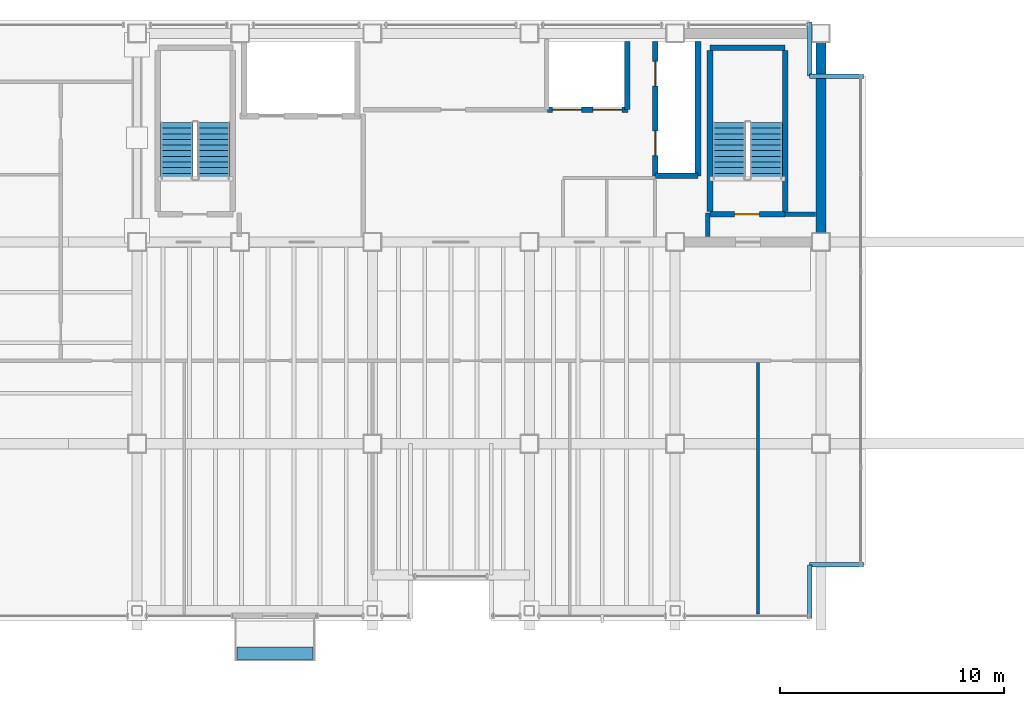
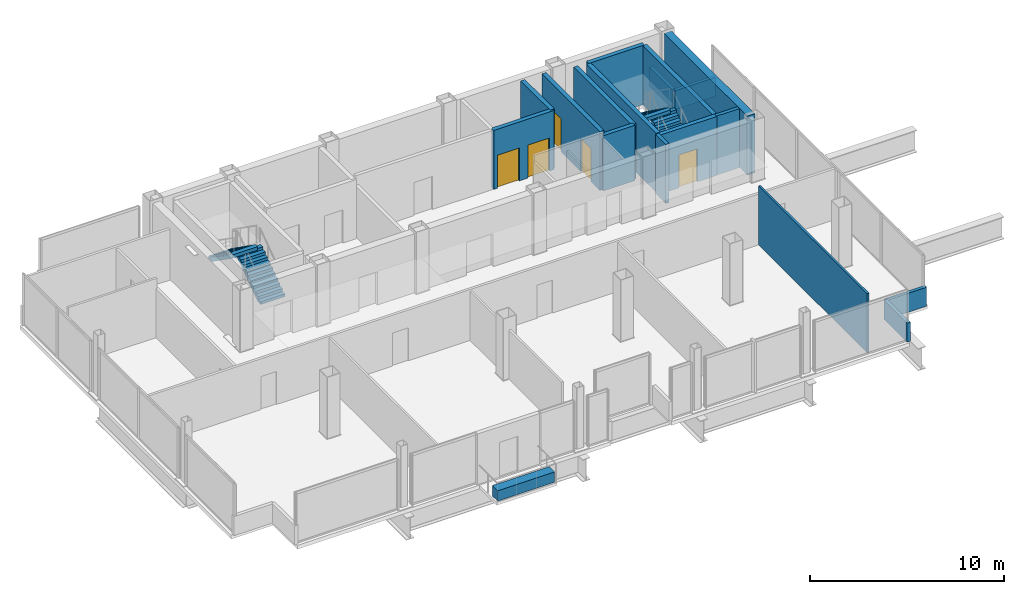
# One storey, part 21 of 22: 17 walls, 5 doors, 4 stair flights, 1 discrete accessory, 5 openings, 2 elements without a shape of their own.
"""IFC4 building model written with IfcOpenShell, lengths in metres."""

from ifc_helpers import new_model, si_unit, direction, frame, frame_2d, origin, origin_2d, place, context, subcontext, project, spatial, polyline, rectangle, outline, extrude, material, layer, layer_set, type_object, element, fill, aggregate, save


model = new_model("IFC4")

# Units and contexts
model_context = context("Model", 3, precision=1e-05, world=origin(), true_north=direction((0.0, 1.0)))
body_context = subcontext(model_context, "Body", "Model", "MODEL_VIEW")
ifc_project = project(units=[si_unit("LENGTHUNIT", "METRE"), si_unit("AREAUNIT", "SQUARE_METRE"), si_unit("VOLUMEUNIT", "CUBIC_METRE"), si_unit("PLANEANGLEUNIT", "RADIAN"), si_unit("MASSUNIT", "GRAM", prefix="KILO")], contexts=[model_context])

# Site, building, storey
site_placement = place(None, origin())
site = spatial("IfcSite", under=ifc_project, at=site_placement, CompositionType="ELEMENT")
building_placement = place(site_placement, origin())
building = spatial("IfcBuilding", under=site, at=building_placement, Name="Noeulbin Bourse Tower", CompositionType="ELEMENT")
storey_placement = place(building_placement, frame((0.0, 0.0, 230.60009765625)))
storey = spatial("IfcBuildingStorey", under=building, at=storey_placement, Name="L57", CompositionType="ELEMENT", Elevation=230.60009765625)

# Walls
ifc_material_1 = material(Name="Concrete C50/60", Category="concrete")
ifc_layer_1 = layer(ifc_material_1, 0.449951171875)
ifc_layer_set_1 = layer_set([ifc_layer_1], Name="Concrete C50/60")
wall_type_1 = type_object("IfcWallType", Name="WAL-CORE-450", PredefinedType="SHEAR", material=ifc_layer_set_1)
wall_1_placement = place(storey_placement, frame((44.0, 29.35009765625, 0.0), z_axis=(0.0, 0.0, 1.0), x_axis=(0.0, 1.0, 0.0)))
element("IfcWall", 1, at=wall_1_placement, inside=storey, type_object=wall_type_1, Name="Rear Core East Shear Wall L57", PredefinedType="SHEAR", context=body_context, shape_type="SweptSolid", body=[
    extrude(rectangle(XDim=8.599853515625, YDim=0.449951171875, at=frame_2d((4.2998046875, 0.0))), origin(), (0.0, 0.0, 1.0), 3.719970703125),
])
ifc_material_2 = material(Name="Concrete C40/50", Category="concrete")
ifc_layer_2 = layer(ifc_material_2, 0.199951171875)
ifc_layer_set_2 = layer_set([ifc_layer_2], Name="Concrete C40/50")
wall_type_2 = type_object("IfcWallType", Name="WAL-FIRE-200", PredefinedType="STANDARD", material=ifc_layer_set_2)
wall_2_placement = place(storey_placement, frame((42.39990234375, 30.239990234375, 0.0), z_axis=(0.0, 0.0, 1.0), x_axis=(1.0, 0.0, 0.0)))
element("IfcWall", 2, at=wall_2_placement, inside=storey, type_object=wall_type_2, Name="Interior Partition Wall L57-01", PredefinedType="STANDARD", context=body_context, shape_type="SweptSolid", body=[
    extrude(rectangle(XDim=1.364990234375, YDim=0.199951171875, at=frame_2d((0.6826171875, 0.0))), origin(), (0.0, 0.0, 1.0), 3.719970703125),
])
wall_3_placement = place(storey_placement, frame((38.949951171875, 29.235107421875, 0.0), z_axis=(0.0, 0.0, 1.0), x_axis=(0.0, 1.0, 0.0)))
element("IfcWall", 3, at=wall_3_placement, inside=storey, type_object=wall_type_2, Name="Interior Partition Wall L57-08", PredefinedType="STANDARD", context=body_context, shape_type="SweptSolid", body=[
    extrude(rectangle(XDim=1.06494140625, YDim=0.199951171875, at=frame_2d((0.532470703125, 0.0))), origin(), (0.0, 0.0, 1.0), 3.719970703125),
])
ifc_layer_3 = layer(ifc_material_2, 0.199951171875)
ifc_layer_set_3 = layer_set([ifc_layer_3], Name="Concrete C40/50")
wall_type_3 = type_object("IfcWallType", Name="WAL-PAR-200", PredefinedType="PARAPET", material=ifc_layer_set_3)
wall_4_placement = place(storey_placement, frame((43.5, 12.199951171875, 0.0), z_axis=(0.0, 0.0, 1.0), x_axis=(0.0, 1.0, 0.0)))
element("IfcWall", 4, at=wall_4_placement, inside=storey, type_object=wall_type_3, Name="Corner Notch Parapet L57-SE1", PredefinedType="PARAPET", context=body_context, shape_type="SweptSolid", body=[
    extrude(rectangle(XDim=2.400146484375, YDim=0.199951171875, at=frame_2d((1.2001953125, 0.0))), origin(), (0.0, 0.0, 1.0), 1.199951171875),
])
wall_5_placement = place(storey_placement, frame((43.5, 14.60009765625, 0.0), z_axis=(0.0, 0.0, 1.0), x_axis=(1.0, 0.0, 0.0)))
element("IfcWall", 5, at=wall_5_placement, inside=storey, type_object=wall_type_3, Name="Corner Notch Parapet L57-SE2", PredefinedType="PARAPET", context=body_context, shape_type="SweptSolid", body=[
    extrude(rectangle(XDim=2.39990234375, YDim=0.199951171875, at=frame_2d((1.199951171875, 0.0))), origin(), (0.0, 0.0, 1.0), 1.199951171875),
])
wall_6_placement = place(storey_placement, frame((43.5, 38.800048828125, 0.0), z_axis=(0.0, 0.0, 1.0), x_axis=(0.0, -1.0, 0.0)))
element("IfcWall", 6, at=wall_6_placement, inside=storey, type_object=wall_type_3, Name="Corner Notch Parapet L57-NE1", PredefinedType="PARAPET", context=body_context, shape_type="SweptSolid", body=[
    extrude(rectangle(XDim=2.400146484375, YDim=0.199951171875, at=frame_2d((1.2001953125, 0.0))), origin(), (0.0, 0.0, 1.0), 1.199951171875),
])
wall_7_placement = place(storey_placement, frame((43.5, 36.39990234375, 0.0), z_axis=(0.0, 0.0, 1.0), x_axis=(1.0, 0.0, 0.0)))
element("IfcWall", 7, at=wall_7_placement, inside=storey, type_object=wall_type_3, Name="Corner Notch Parapet L57-NE2", PredefinedType="PARAPET", context=body_context, shape_type="SweptSolid", body=[
    extrude(rectangle(XDim=2.39990234375, YDim=0.199951171875, at=frame_2d((1.199951171875, 0.0))), origin(), (0.0, 0.0, 1.0), 1.199951171875),
])
ifc_material_3 = material(Name="Steel Stud Gypsum Partition", Category="steel")
ifc_layer_4 = layer(ifc_material_3, 0.1201171875)
ifc_layer_set_4 = layer_set([ifc_layer_4], Name="Steel Stud Gypsum Partition")
wall_type_4 = type_object("IfcWallType", Name="WAL-PRT-120", PredefinedType="PARTITIONING", material=ifc_layer_set_4)
wall_8_placement = place(storey_placement, frame((41.199951171875, 12.409912109375, 0.0), z_axis=(0.0, 0.0, 1.0), x_axis=(0.0, 1.0, 0.0)))
element("IfcWall", 8, at=wall_8_placement, inside=storey, type_object=wall_type_4, Name="Interior Partition Wall L57-17", PredefinedType="PARTITIONING", context=body_context, shape_type="SweptSolid", body=[
    extrude(rectangle(XDim=11.205078125, YDim=0.1201171875, at=frame_2d((5.6025390625, 0.0))), origin(), (0.0, 0.0, 1.0), 3.719970703125),
])

# Wall, opening, door
ifc_layer_5 = layer(ifc_material_2, 0.25)
ifc_layer_set_5 = layer_set([ifc_layer_5], Name="Concrete C40/50")
wall_type_5 = type_object("IfcWallType", Name="WAL-SHFT-250", PredefinedType="STANDARD", material=ifc_layer_set_5)
wall_9_placement = place(storey_placement, frame((39.06005859375, 30.235107421875, 0.0), z_axis=(0.0, 0.0, 1.0), x_axis=(1.0, 0.0, 0.0)))
wall_9 = element("IfcWall", 9, at=wall_9_placement, inside=storey, type_object=wall_type_5, Name="Stair ST-2 South Shaft Wall L57", PredefinedType="STANDARD", context=body_context, shape_type="SweptSolid", body=[
    extrude(rectangle(XDim=3.33984375, YDim=0.25, at=frame_2d((1.669921875, 0.0))), origin(), (0.0, 0.0, 1.0), 3.719970703125),
])
opening_1_placement = place(wall_9_placement, frame((1.10009765625, 0.0, 0.0)))
opening_1 = element("IfcOpeningElement", 10, at=opening_1_placement, cuts=wall_9, Name="Opening FD-11", PredefinedType="OPENING", context=body_context, shape_type="SweptSolid", body=[
    extrude(rectangle(XDim=1.10009765625, YDim=2.080078125, at=frame_2d((0.550048828125, 1.0400390625))), frame((0.0, 0.135009765625, 0.0), z_axis=(0.0, -1.0, 0.0), x_axis=(1.0, 0.0, 0.0)), (0.0, 0.0, 1.0), 0.27001953125),
])
ifc_material_4 = material(Name="Fire-Rated Insulated Steel", Category="steel")
door_type_1 = type_object("IfcDoorType", Name="DR-FD60-1100", OperationType="SINGLE_SWING_LEFT", PredefinedType="DOOR", material=ifc_material_4)
door_1_placement = place(opening_1_placement, origin())
door_1 = element("IfcDoor", 11, at=door_1_placement, inside=storey, type_object=door_type_1, Name="Protected Stair Entry Door ST2-L57", OperationType="SINGLE_SWING_LEFT", OverallHeight=2.080078125, OverallWidth=1.10009765625, PredefinedType="DOOR", context=body_context, shape_type="SweptSolid", body=[
    extrude(rectangle(XDim=1.10009765625, YDim=2.080078125, at=frame_2d((0.550048828125, 1.0400390625))), frame((0.0, 0.02490234375, 0.0), z_axis=(0.0, -1.0, 0.0), x_axis=(1.0, 0.0, 0.0)), (0.0, 0.0, 1.0), 0.050048828125),
])
fill(opening_1, door_1)

# Walls
wall_10_placement = place(storey_placement, frame((39.06005859375, 37.6689453125, 0.0), z_axis=(0.0, 0.0, 1.0), x_axis=(1.0, 0.0, 0.0)))
element("IfcWall", 12, at=wall_10_placement, inside=storey, type_object=wall_type_5, Name="Stair ST-2 North Shaft Wall L57", PredefinedType="STANDARD", context=body_context, shape_type="SweptSolid", body=[
    extrude(rectangle(XDim=3.33984375, YDim=0.25, at=frame_2d((1.669921875, 0.0))), origin(), (0.0, 0.0, 1.0), 3.719970703125),
])
for number, where, z_axis, x_axis, name in (
    (13, (39.054931640625, 30.360107421875, 0.0), (0.0, 0.0, 1.0), (0.0, 1.0, 0.0), "Stair ST-2 West Shaft Wall L57"),
    (14, (42.405029296875, 30.360107421875, 0.0), (0.0, 0.0, 1.0), (0.0, 1.0, 0.0), "Stair ST-2 East Shaft Wall L57"),
):
    element("IfcWall", number, at=place(storey_placement, frame(where, z_axis=z_axis, x_axis=x_axis)), inside=storey, type_object=wall_type_5, Name=name, PredefinedType="STANDARD", context=body_context, shape_type="SweptSolid", body=[
        extrude(rectangle(XDim=7.183837890625, YDim=0.25, at=frame_2d((3.591796875, 0.0))), origin(), (0.0, 0.0, 1.0), 3.719970703125),
    ])

# Wall, openings, doors
wall_11_placement = place(storey_placement, frame((36.6201171875, 31.949951171875, 0.0), z_axis=(0.0, 0.0, 1.0), x_axis=(0.0, 1.0, 0.0)))
wall_11 = element("IfcWall", 15, at=wall_11_placement, inside=storey, type_object=wall_type_5, Name="Service Lift Shaft Wall L57", PredefinedType="STANDARD", context=body_context, shape_type="SweptSolid", body=[
    extrude(rectangle(XDim=6.0, YDim=0.25, at=frame_2d((3.0, 0.0))), origin(), (0.0, 0.0, 1.0), 3.719970703125),
])
opening_2_placement = place(wall_11_placement, frame((0.89990234375, 0.0, 0.0)))
opening_2 = element("IfcOpeningElement", 16, at=opening_2_placement, cuts=wall_11, Name="Opening LD-11", PredefinedType="OPENING", context=body_context, shape_type="SweptSolid", body=[
    extrude(rectangle(XDim=1.10009765625, YDim=2.080078125, at=frame_2d((0.550048828125, 1.0400390625))), frame((0.0, 0.135009765625, 0.0), z_axis=(0.0, -1.0, 0.0), x_axis=(1.0, 0.0, 0.0)), (0.0, 0.0, 1.0), 0.27001953125),
])
opening_3_placement = place(wall_11_placement, frame((4.0, 0.0, 0.0)))
opening_3 = element("IfcOpeningElement", 17, at=opening_3_placement, cuts=wall_11, Name="Opening LD-11", PredefinedType="OPENING", context=body_context, shape_type="SweptSolid", body=[
    extrude(rectangle(XDim=1.10009765625, YDim=2.080078125, at=frame_2d((0.550048828125, 1.0400390625))), frame((0.0, 0.135009765625, 0.0), z_axis=(0.0, -1.0, 0.0), x_axis=(1.0, 0.0, 0.0)), (0.0, 0.0, 1.0), 0.27001953125),
])
ifc_material_5 = material(Name="Brushed Stainless Steel 316", Category="steel")
door_type_2 = type_object("IfcDoorType", Name="DR-LIFT-1100", OperationType="SLIDING_TO_LEFT", PredefinedType="DOOR", material=ifc_material_5)
door_2_placement = place(opening_2_placement, origin())
door_2 = element("IfcDoor", 18, at=door_2_placement, inside=storey, type_object=door_type_2, Name="Lift Landing Door LD-EL-01-L57", OperationType="SLIDING_TO_LEFT", OverallHeight=2.080078125, OverallWidth=1.10009765625, PredefinedType="DOOR", context=body_context, shape_type="SweptSolid", body=[
    extrude(rectangle(XDim=1.10009765625, YDim=2.080078125, at=frame_2d((0.550048828125, 1.0400390625))), frame((0.0, 0.02490234375, 0.0), z_axis=(0.0, -1.0, 0.0), x_axis=(1.0, 0.0, 0.0)), (0.0, 0.0, 1.0), 0.050048828125),
])
fill(opening_2, door_2)
door_3_placement = place(opening_3_placement, origin())
door_3 = element("IfcDoor", 19, at=door_3_placement, inside=storey, type_object=door_type_2, Name="Lift Landing Door LD-SV-01-L57", OperationType="SLIDING_TO_LEFT", OverallHeight=2.080078125, OverallWidth=1.10009765625, PredefinedType="DOOR", context=body_context, shape_type="SweptSolid", body=[
    extrude(rectangle(XDim=1.10009765625, YDim=2.080078125, at=frame_2d((0.550048828125, 1.0400390625))), frame((0.0, 0.02490234375, 0.0), z_axis=(0.0, -1.0, 0.0), x_axis=(1.0, 0.0, 0.0)), (0.0, 0.0, 1.0), 0.050048828125),
])
fill(opening_3, door_3)

# Walls
wall_12_placement = place(storey_placement, frame((38.52001953125, 31.949951171875, 0.0), z_axis=(0.0, 0.0, 1.0), x_axis=(0.0, 1.0, 0.0)))
element("IfcWall", 20, at=wall_12_placement, inside=storey, type_object=wall_type_5, Name="Service Lift East Shaft Wall L57", PredefinedType="STANDARD", context=body_context, shape_type="SweptSolid", body=[
    extrude(rectangle(XDim=6.0, YDim=0.25, at=frame_2d((3.0, 0.0))), origin(), (0.0, 0.0, 1.0), 3.47998046875),
])
wall_13_placement = place(storey_placement, frame((36.6201171875, 31.949951171875, 0.0), z_axis=(0.0, 0.0, 1.0), x_axis=(1.0, 0.0, 0.0)))
element("IfcWall", 21, at=wall_13_placement, inside=storey, type_object=wall_type_5, Name="Service Lift South Shaft Wall L57", PredefinedType="STANDARD", context=body_context, shape_type="SweptSolid", body=[
    extrude(rectangle(XDim=1.89990234375, YDim=0.25, at=frame_2d((0.949951171875, 0.0))), origin(), (0.0, 0.0, 1.0), 3.47998046875),
])
wall_14_placement = place(storey_placement, frame((35.360107421875, 34.89990234375, 0.0), z_axis=(0.0, 0.0, 1.0), x_axis=(0.0, 1.0, 0.0)))
element("IfcWall", 22, at=wall_14_placement, inside=storey, type_object=wall_type_5, Name="High-Rise Lift East Shaft Wall L57", PredefinedType="STANDARD", context=body_context, shape_type="SweptSolid", body=[
    extrude(rectangle(XDim=3.050048828125, YDim=0.25, at=frame_2d((1.52490234375, 0.0))), origin(), (0.0, 0.0, 1.0), 3.719970703125),
])

# Wall, openings, doors
wall_15_placement = place(storey_placement, frame((31.800048828125, 34.89990234375, 0.0), z_axis=(0.0, 0.0, 1.0), x_axis=(1.0, 0.0, 0.0)))
wall_15 = element("IfcWall", 23, at=wall_15_placement, inside=storey, type_object=wall_type_5, Name="High-Rise Lift Bank Front L57", PredefinedType="STANDARD", context=body_context, shape_type="SweptSolid", body=[
    extrude(rectangle(XDim=3.599853515625, YDim=0.25, at=frame_2d((1.7998046875, 0.0))), origin(), (0.0, 0.0, 1.0), 3.719970703125),
])
opening_4_placement = place(wall_15_placement, frame((0.22998046875, 0.0, 0.0)))
opening_4 = element("IfcOpeningElement", 24, at=opening_4_placement, cuts=wall_15, Name="Opening LD-13", PredefinedType="OPENING", context=body_context, shape_type="SweptSolid", body=[
    extrude(rectangle(XDim=1.300048828125, YDim=2.080078125, at=frame_2d((0.64990234375, 1.0400390625))), frame((0.0, 0.135009765625, 0.0), z_axis=(0.0, -1.0, 0.0), x_axis=(1.0, 0.0, 0.0)), (0.0, 0.0, 1.0), 0.27001953125),
])
opening_5_placement = place(wall_15_placement, frame((2.030029296875, 0.0, 0.0)))
opening_5 = element("IfcOpeningElement", 25, at=opening_5_placement, cuts=wall_15, Name="Opening LD-13", PredefinedType="OPENING", context=body_context, shape_type="SweptSolid", body=[
    extrude(rectangle(XDim=1.300048828125, YDim=2.080078125, at=frame_2d((0.64990234375, 1.0400390625))), frame((0.0, 0.135009765625, 0.0), z_axis=(0.0, -1.0, 0.0), x_axis=(1.0, 0.0, 0.0)), (0.0, 0.0, 1.0), 0.27001953125),
])
door_type_3 = type_object("IfcDoorType", Name="DR-LIFT-1300", OperationType="DOUBLE_DOOR_SLIDING", PredefinedType="DOOR", material=ifc_material_5)
door_4_placement = place(opening_4_placement, origin())
door_4 = element("IfcDoor", 26, at=door_4_placement, inside=storey, type_object=door_type_3, Name="Lift Landing Door LD-PL-H1-L57", OperationType="DOUBLE_DOOR_SLIDING", OverallHeight=2.080078125, OverallWidth=1.300048828125, PredefinedType="DOOR", context=body_context, shape_type="SweptSolid", body=[
    extrude(rectangle(XDim=1.300048828125, YDim=2.080078125, at=frame_2d((0.64990234375, 1.0400390625))), frame((0.0, 0.02490234375, 0.0), z_axis=(0.0, -1.0, 0.0), x_axis=(1.0, 0.0, 0.0)), (0.0, 0.0, 1.0), 0.050048828125),
])
fill(opening_4, door_4)
door_5_placement = place(opening_5_placement, origin())
door_5 = element("IfcDoor", 27, at=door_5_placement, inside=storey, type_object=door_type_3, Name="Lift Landing Door LD-PL-H2-L57", OperationType="DOUBLE_DOOR_SLIDING", OverallHeight=2.080078125, OverallWidth=1.300048828125, PredefinedType="DOOR", context=body_context, shape_type="SweptSolid", body=[
    extrude(rectangle(XDim=1.300048828125, YDim=2.080078125, at=frame_2d((0.64990234375, 1.0400390625))), frame((0.0, 0.02490234375, 0.0), z_axis=(0.0, -1.0, 0.0), x_axis=(1.0, 0.0, 0.0)), (0.0, 0.0, 1.0), 0.050048828125),
])
fill(opening_5, door_5)

# Stair, stair flights
stair_type = type_object("IfcStairType", Name="STR-CORE-1560", PredefinedType="HALF_TURN_STAIR", material=ifc_material_2)
stair_1_placement = place(storey_placement, origin())
stair_1 = element("IfcStair", 28, at=stair_1_placement, inside=storey, type_object=stair_type, Name="L57 ST-1", PredefinedType="HALF_TURN_STAIR")
stair_flight_type = type_object("IfcStairFlightType", Name="SFL-CORE-1560", PredefinedType="STRAIGHT", material=ifc_material_2)
stair_flight_1_placement = place(storey_placement, frame((16.925048828125, 31.81005859375, 0.0), z_axis=(0.0, 0.0, 1.0), x_axis=(0.0, 1.0, 0.0)))
stair_flight_1 = element("IfcStairFlight", 29, at=stair_flight_1_placement, type_object=stair_flight_type, Name="ST-1 flight 1", NumberOfRisers=11, NumberOfTreads=10, PredefinedType="STRAIGHT", RiserHeight=0.177272727, TreadLength=0.252, context=body_context, shape_type="SweptSolid", body=[
    extrude(outline(polyline([(0.0, 0.0), (0.0, 0.17724609375), (0.251953125, 0.17724609375), (0.251953125, 0.3544921875), (0.50390625, 0.3544921875), (0.50390625, 0.53173828125), (0.756103515625, 0.53173828125), (0.756103515625, 0.708984375), (1.008056640625, 0.708984375), (1.008056640625, 0.886474609375), (1.260009765625, 0.886474609375), (1.260009765625, 1.063720703125), (1.511962890625, 1.063720703125), (1.511962890625, 1.240966796875), (1.763916015625, 1.240966796875), (1.763916015625, 1.418212890625), (2.01611328125, 1.418212890625), (2.01611328125, 1.595458984375), (2.26806640625, 1.595458984375), (2.26806640625, 1.772705078125), (2.52001953125, 1.772705078125), (2.52001953125, 1.949951171875), (2.52001953125, 1.552734375), (0.312744140625, 0.0), (0.0, 0.0)])), frame((0.0, 0.72509765625, 0.0), z_axis=(0.0, -1.0, 0.0), x_axis=(1.0, 0.0, 0.0)), (0.0, 0.0, 1.0), 1.449951171875),
])
stair_flight_2_placement = place(storey_placement, frame((15.27490234375, 34.330078125, 1.949951171875), z_axis=(0.0, 0.0, 1.0), x_axis=(0.0, -1.0, 0.0)))
stair_flight_2 = element("IfcStairFlight", 30, at=stair_flight_2_placement, type_object=stair_flight_type, Name="ST-1 flight 2", NumberOfRisers=11, NumberOfTreads=10, PredefinedType="STRAIGHT", RiserHeight=0.177272727, TreadLength=0.252, context=body_context, shape_type="SweptSolid", body=[
    extrude(outline(polyline([(0.0, 0.0), (0.0, 0.17724609375), (0.251953125, 0.17724609375), (0.251953125, 0.3544921875), (0.50390625, 0.3544921875), (0.50390625, 0.53173828125), (0.756103515625, 0.53173828125), (0.756103515625, 0.708984375), (1.008056640625, 0.708984375), (1.008056640625, 0.886474609375), (1.260009765625, 0.886474609375), (1.260009765625, 1.063720703125), (1.511962890625, 1.063720703125), (1.511962890625, 1.240966796875), (1.763916015625, 1.240966796875), (1.763916015625, 1.418212890625), (2.01611328125, 1.418212890625), (2.01611328125, 1.595458984375), (2.26806640625, 1.595458984375), (2.26806640625, 1.772705078125), (2.52001953125, 1.772705078125), (2.52001953125, 1.949951171875), (2.52001953125, 1.552734375), (0.312744140625, 0.0), (0.0, 0.0)])), frame((0.0, 0.72509765625, 0.0), z_axis=(0.0, -1.0, 0.0), x_axis=(1.0, 0.0, 0.0)), (0.0, 0.0, 1.0), 1.449951171875),
])
aggregate(stair_1, [stair_flight_1, stair_flight_2])

stair_2_placement = place(storey_placement, origin())
stair_2 = element("IfcStair", 31, at=stair_2_placement, inside=storey, type_object=stair_type, Name="L57 ST-2", PredefinedType="HALF_TURN_STAIR")
stair_flight_3_placement = place(storey_placement, frame((41.554931640625, 31.81005859375, 0.0), z_axis=(0.0, 0.0, 1.0), x_axis=(0.0, 1.0, 0.0)))
stair_flight_3 = element("IfcStairFlight", 32, at=stair_flight_3_placement, type_object=stair_flight_type, Name="ST-2 flight 1", NumberOfRisers=11, NumberOfTreads=10, PredefinedType="STRAIGHT", RiserHeight=0.177272727, TreadLength=0.252, context=body_context, shape_type="SweptSolid", body=[
    extrude(outline(polyline([(0.0, 0.0), (0.0, 0.17724609375), (0.251953125, 0.17724609375), (0.251953125, 0.3544921875), (0.50390625, 0.3544921875), (0.50390625, 0.53173828125), (0.756103515625, 0.53173828125), (0.756103515625, 0.708984375), (1.008056640625, 0.708984375), (1.008056640625, 0.886474609375), (1.260009765625, 0.886474609375), (1.260009765625, 1.063720703125), (1.511962890625, 1.063720703125), (1.511962890625, 1.240966796875), (1.763916015625, 1.240966796875), (1.763916015625, 1.418212890625), (2.01611328125, 1.418212890625), (2.01611328125, 1.595458984375), (2.26806640625, 1.595458984375), (2.26806640625, 1.772705078125), (2.52001953125, 1.772705078125), (2.52001953125, 1.949951171875), (2.52001953125, 1.552734375), (0.312744140625, 0.0), (0.0, 0.0)])), frame((0.0, 0.72509765625, 0.0), z_axis=(0.0, -1.0, 0.0), x_axis=(1.0, 0.0, 0.0)), (0.0, 0.0, 1.0), 1.449951171875),
])
stair_flight_4_placement = place(storey_placement, frame((39.905029296875, 34.330078125, 1.949951171875), z_axis=(0.0, 0.0, 1.0), x_axis=(0.0, -1.0, 0.0)))
stair_flight_4 = element("IfcStairFlight", 33, at=stair_flight_4_placement, type_object=stair_flight_type, Name="ST-2 flight 2", NumberOfRisers=11, NumberOfTreads=10, PredefinedType="STRAIGHT", RiserHeight=0.177272727, TreadLength=0.252, context=body_context, shape_type="SweptSolid", body=[
    extrude(outline(polyline([(0.0, 0.0), (0.0, 0.17724609375), (0.251953125, 0.17724609375), (0.251953125, 0.3544921875), (0.50390625, 0.3544921875), (0.50390625, 0.53173828125), (0.756103515625, 0.53173828125), (0.756103515625, 0.708984375), (1.008056640625, 0.708984375), (1.008056640625, 0.886474609375), (1.260009765625, 0.886474609375), (1.260009765625, 1.063720703125), (1.511962890625, 1.063720703125), (1.511962890625, 1.240966796875), (1.763916015625, 1.240966796875), (1.763916015625, 1.418212890625), (2.01611328125, 1.418212890625), (2.01611328125, 1.595458984375), (2.26806640625, 1.595458984375), (2.26806640625, 1.772705078125), (2.52001953125, 1.772705078125), (2.52001953125, 1.949951171875), (2.52001953125, 1.552734375), (0.312744140625, 0.0), (0.0, 0.0)])), frame((0.0, 0.72509765625, 0.0), z_axis=(0.0, -1.0, 0.0), x_axis=(1.0, 0.0, 0.0)), (0.0, 0.0, 1.0), 1.449951171875),
])
aggregate(stair_2, [stair_flight_3, stair_flight_4])

# Discrete accessory
ifc_material_6 = material(Name="Architectural GFRC Concrete C40/50", Category="concrete")
ifc_layer_6 = layer(ifc_material_6, 0.64990234375)
ifc_layer_set_6 = layer_set([ifc_layer_6], Name="Architectural GFRC Concrete C40/50")
discrete_accessory_type = type_object("IfcDiscreteAccessoryType", Name="PLANTER-BOX-3600", PredefinedType="USERDEFINED", material=ifc_layer_set_6)
discrete_accessory_placement = place(storey_placement, frame((19.64990234375, 10.659912109375, 0.0), z_axis=(0.0, 0.0, 1.0), x_axis=(1.0, 0.0, 0.0)))
element("IfcDiscreteAccessory", 34, at=discrete_accessory_placement, inside=storey, type_object=discrete_accessory_type, Name="Integrated Balcony Tree Planter Box L57", ObjectType="PLANTER", PredefinedType="USERDEFINED", context=body_context, shape_type="SweptSolid", body=[
    extrude(rectangle(XDim=3.39990234375, YDim=0.550048828125, at=origin_2d()), origin(), (0.0, 0.0, 1.0), 0.64990234375),
])

save(model, "model.ifc")
